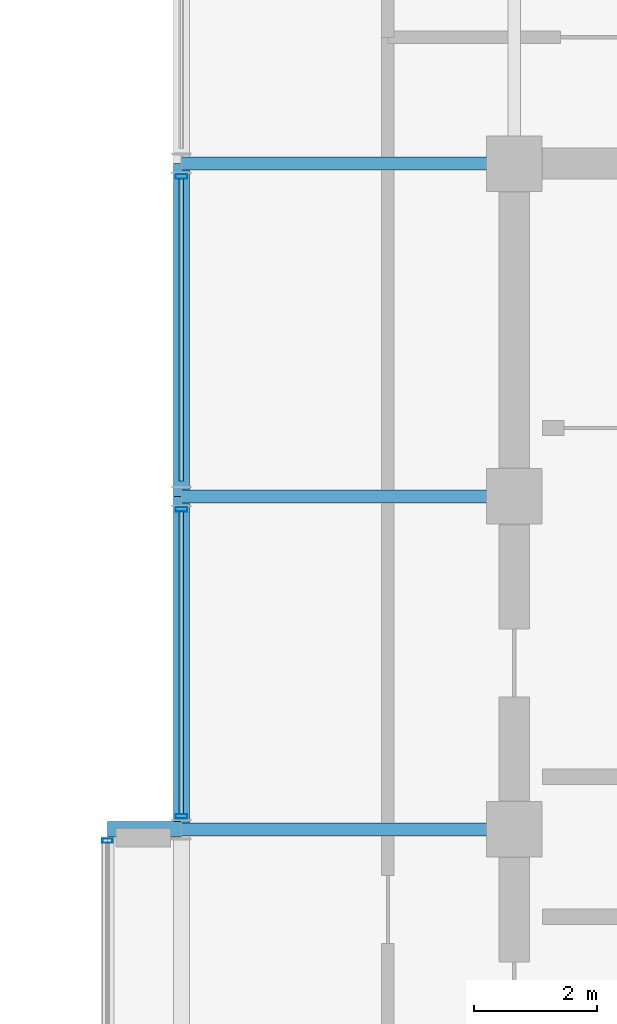
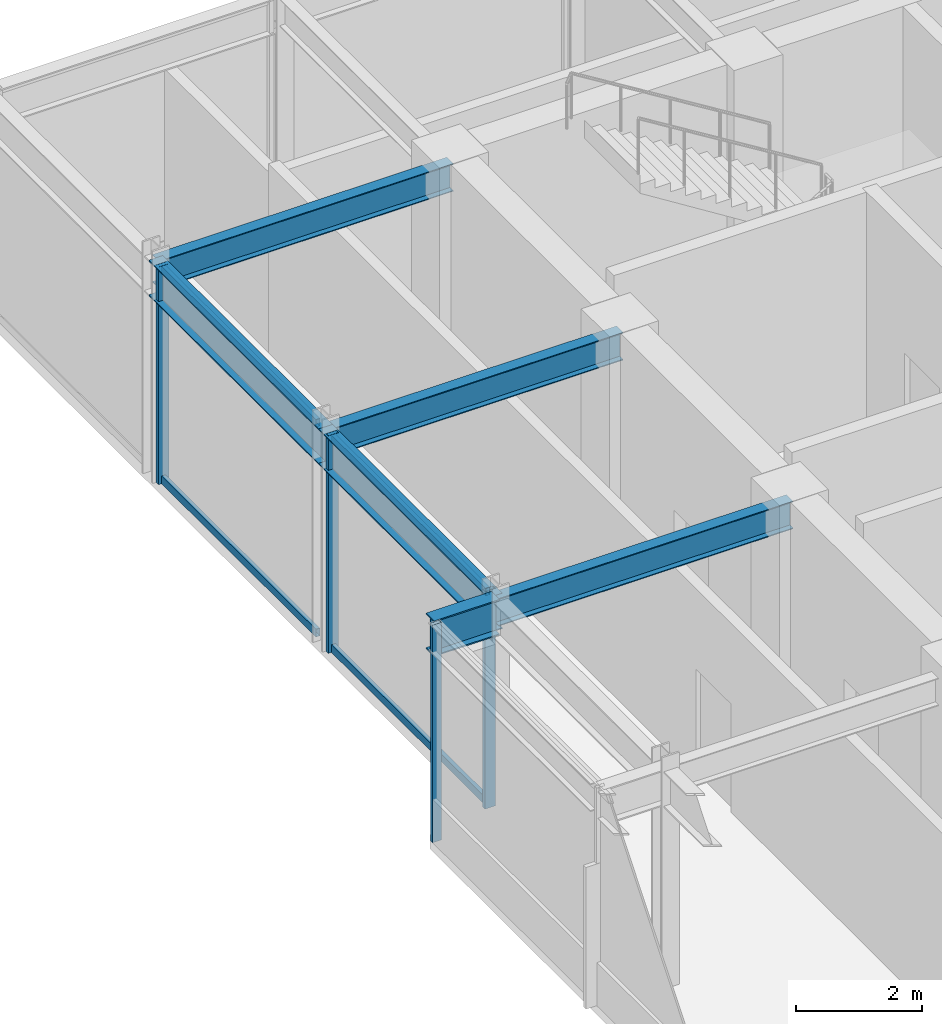
# One storey, part 7 of 18: 8 members, 6 beams, 2 elements without a shape of their own.
"""IFC4 building model written with IfcOpenShell, lengths in metres."""

from ifc_helpers import new_model, si_unit, direction, frame, origin, origin_2d, place, context, subcontext, project, spatial, hollow_rectangle, i_section, extrude, material, layer, layer_set, material_profile, profile_set, type_object, element, aggregate, save


model = new_model("IFC4")

# Units and contexts
model_context = context("Model", 3, precision=1e-05, world=origin(), true_north=direction((0.0, 1.0)))
body_context = subcontext(model_context, "Body", "Model", "MODEL_VIEW")
ifc_project = project(units=[si_unit("LENGTHUNIT", "METRE"), si_unit("AREAUNIT", "SQUARE_METRE"), si_unit("VOLUMEUNIT", "CUBIC_METRE"), si_unit("PLANEANGLEUNIT", "RADIAN"), si_unit("MASSUNIT", "GRAM", prefix="KILO")], contexts=[model_context])

# Site, building, storey
site_placement = place(None, origin())
site = spatial("IfcSite", under=ifc_project, at=site_placement, CompositionType="ELEMENT")
building_placement = place(site_placement, origin())
building = spatial("IfcBuilding", under=site, at=building_placement, Name="Surkhivell Harbour Commons", CompositionType="ELEMENT")
storey_placement = place(building_placement, frame((0.0, 0.0, 355.5)))
storey = spatial("IfcBuildingStorey", under=building, at=storey_placement, Name="L92", CompositionType="ELEMENT", Elevation=355.5)

# Beams
ifc_material_1 = material(Name="Steel S460", Category="steel")
ifc_material_profile_1 = material_profile(ifc_material_1, i_section(OverallWidth=0.256103515625, OverallDepth=0.693115234375, WebThickness=0.014404296875, FlangeThickness=0.023681640625, at=origin_2d()), Name="UB686x254x170")
ifc_profile_set_1 = profile_set([ifc_material_profile_1], Name="Steel S460")
beam_type_1 = type_object("IfcBeamType", Name="BM-CNT-686", PredefinedType="BEAM", material=ifc_profile_set_1)
beam_1_placement = place(storey_placement, frame((-16.199951171875, 0.0, 3.87353515625), z_axis=(-1.0, 0.0, 0.0), x_axis=(0.0, -1.0, 0.0)))
element("IfcBeam", 1, at=beam_1_placement, inside=storey, type_object=beam_type_1, Name="L92 Box Cantilever Outrigger (-16.2,0.0)", PredefinedType="BEAM", context=body_context, shape_type="SweptSolid", body=[
    extrude(i_section(OverallWidth=0.256103515625, OverallDepth=0.693115234375, WebThickness=0.014404296875, FlangeThickness=0.023681640625, at=origin_2d()), origin(), (0.0, 0.0, 1.0), 1.199951171875),
])
ifc_material_2 = material(Name="Steel S355", Category="steel")
ifc_material_profile_2 = material_profile(ifc_material_2, i_section(OverallWidth=0.2099609375, OverallDepth=0.537109375, WebThickness=0.0107421875, FlangeThickness=0.017333984375, at=origin_2d()), Name="UB533x210x101")
ifc_profile_set_2 = profile_set([ifc_material_profile_2], Name="Steel S355")
beam_type_2 = type_object("IfcBeamType", Name="BM-GRD-533B", PredefinedType="BEAM", material=ifc_profile_set_2)
for number, where, z_axis, x_axis, name in (
    (2, (-16.199951171875, 0.0, 3.951416015625), (1.0, 0.0, 0.0), (0.0, 1.0, 0.0), "L92 Floor Girder (-16.2,0.0)"),
    (3, (-16.199951171875, 5.39990234375, 3.951416015625), (1.0, 0.0, 0.0), (0.0, 1.0, 0.0), "L92 Floor Girder (-16.2,5.4)"),
    (4, (-16.199951171875, 10.800048828125, 3.951416015625), (1.0, 0.0, 0.0), (0.0, 1.0, 0.0), "L92 Floor Girder (-16.2,10.8)"),
):
    element("IfcBeam", number, at=place(storey_placement, frame(where, z_axis=z_axis, x_axis=x_axis)), inside=storey, type_object=beam_type_2, Name=name, PredefinedType="BEAM", context=body_context, shape_type="SweptSolid", body=[
        extrude(i_section(OverallWidth=0.2099609375, OverallDepth=0.537109375, WebThickness=0.0107421875, FlangeThickness=0.017333984375, at=origin_2d()), origin(), (0.0, 0.0, 1.0), 5.39990234375),
    ])
ifc_material_profile_3 = material_profile(ifc_material_2, i_section(OverallWidth=0.256103515625, OverallDepth=0.693115234375, WebThickness=0.014404296875, FlangeThickness=0.023681640625, at=origin_2d()), Name="UB686x254x170")
ifc_profile_set_3 = profile_set([ifc_material_profile_3], Name="Steel S355")
beam_type_3 = type_object("IfcBeamType", Name="BM-SPN-686", PredefinedType="SPANDREL", material=ifc_profile_set_3)
beam_2_placement = place(storey_placement, frame((-16.199951171875, 0.0, 3.87353515625), z_axis=(0.0, 1.0, 0.0), x_axis=(-1.0, 0.0, 0.0)))
element("IfcBeam", 5, at=beam_2_placement, inside=storey, type_object=beam_type_3, Name="L92 Tube Spandrel (-16.2,0.0)", PredefinedType="SPANDREL", context=body_context, shape_type="SweptSolid", body=[
    extrude(i_section(OverallWidth=0.256103515625, OverallDepth=0.693115234375, WebThickness=0.014404296875, FlangeThickness=0.023681640625, at=origin_2d()), origin(), (0.0, 0.0, 1.0), 5.39990234375),
])
beam_3_placement = place(storey_placement, frame((-16.199951171875, 5.39990234375, 3.87353515625), z_axis=(0.0, 1.0, 0.0), x_axis=(-1.0, 0.0, 0.0)))
element("IfcBeam", 6, at=beam_3_placement, inside=storey, type_object=beam_type_3, Name="L92 Tube Spandrel (-16.2,5.4)", PredefinedType="SPANDREL", context=body_context, shape_type="SweptSolid", body=[
    extrude(i_section(OverallWidth=0.256103515625, OverallDepth=0.693115234375, WebThickness=0.014404296875, FlangeThickness=0.023681640625, at=origin_2d()), origin(), (0.0, 0.0, 1.0), 5.400146484375),
])

# Curtain wall, member
ifc_material_3 = material(Name="Anodised pale-metal aluminium and insulated glazing", Category="aluminium")
ifc_layer_1 = layer(ifc_material_3, 0.1650390625)
ifc_layer_set_1 = layer_set([ifc_layer_1], Name="Anodised pale-metal aluminium and insulated glazing")
curtain_wall_type_1 = type_object("IfcCurtainWallType", Name="CW-SYS-BOX", PredefinedType="NOTDEFINED", material=ifc_layer_set_1)
curtain_wall_1_placement = place(storey_placement, origin())
curtain_wall_1 = element("IfcCurtainWall", 7, at=curtain_wall_1_placement, inside=storey, type_object=curtain_wall_type_1, Name="L92 Curtain Wall CW-L92-BOX03", PredefinedType="NOTDEFINED")
ifc_material_4 = material(Name="Champagne anodised aluminium alloy 6063-T6", Category="aluminium")
ifc_material_profile_4 = material_profile(ifc_material_4, hollow_rectangle(XDim=0.070068359375, YDim=0.1650390625, WallThickness=0.00341796875, at=origin_2d()), Name="ALU-MULL-70x165")
ifc_profile_set_4 = profile_set([ifc_material_profile_4], Name="Champagne anodised aluminium alloy 6063-T6")
member_type_1 = type_object("IfcMemberType", Name="CWM-165", PredefinedType="MULLION", material=ifc_profile_set_4)
member_1_placement = place(storey_placement, frame((-17.39990234375, -0.18505859375, 0.0), z_axis=(0.0, 0.0, 1.0), x_axis=(0.0, 1.0, 0.0)))
member_1 = element("IfcMember", 8, at=member_1_placement, type_object=member_type_1, Name="CW-BOX mullion 3", PredefinedType="MULLION", context=body_context, shape_type="SweptSolid", body=[
    extrude(hollow_rectangle(XDim=0.070068359375, YDim=0.1650390625, WallThickness=0.00341796875, at=origin_2d()), origin(), (0.0, 0.0, 1.0), 4.219970703125),
])
aggregate(curtain_wall_1, [member_1])

# Curtain wall, members
ifc_layer_2 = layer(ifc_material_3, 0.22998046875)
ifc_layer_set_2 = layer_set([ifc_layer_2], Name="Anodised pale-metal aluminium and insulated glazing")
curtain_wall_type_2 = type_object("IfcCurtainWallType", Name="CW-SYS-CRN", PredefinedType="NOTDEFINED", material=ifc_layer_set_2)
curtain_wall_2_placement = place(storey_placement, origin())
curtain_wall_2 = element("IfcCurtainWall", 9, at=curtain_wall_2_placement, inside=storey, type_object=curtain_wall_type_2, Name="L92 Curtain Wall CW-L92-C03S2", PredefinedType="NOTDEFINED")
ifc_material_5 = material(Name="Anodised pale-metal aluminium alloy 6063-T6", Category="aluminium")
ifc_material_profile_5 = material_profile(ifc_material_5, hollow_rectangle(XDim=0.074951171875, YDim=0.18994140625, WallThickness=0.00390625, at=origin_2d()), Name="ALU-MULL-75x190")
ifc_profile_set_5 = profile_set([ifc_material_profile_5], Name="Anodised pale-metal aluminium alloy 6063-T6")
member_type_2 = type_object("IfcMemberType", Name="CWM-190", PredefinedType="MULLION", material=ifc_profile_set_5)
member_2_placement = place(storey_placement, frame((-16.199951171875, 10.590576171875, 0.0), z_axis=(0.0, 0.0, 1.0), x_axis=(0.0, -1.0, 0.0)))
member_2 = element("IfcMember", 10, at=member_2_placement, type_object=member_type_2, Name="CW-CRN mullion 2", PredefinedType="MULLION", context=body_context, shape_type="SweptSolid", body=[
    extrude(hollow_rectangle(XDim=0.074951171875, YDim=0.18994140625, WallThickness=0.00390625, at=origin_2d()), origin(), (0.0, 0.0, 1.0), 4.219970703125),
])
member_3_placement = place(storey_placement, frame((-16.199951171875, 5.1904296875, 0.0), z_axis=(0.0, 0.0, 1.0), x_axis=(0.0, -1.0, 0.0)))
member_3 = element("IfcMember", 11, at=member_3_placement, type_object=member_type_2, Name="CW-CRN mullion 3", PredefinedType="MULLION", context=body_context, shape_type="SweptSolid", body=[
    extrude(hollow_rectangle(XDim=0.074951171875, YDim=0.18994140625, WallThickness=0.00390625, at=origin_2d()), origin(), (0.0, 0.0, 1.0), 4.219970703125),
])
member_4_placement = place(storey_placement, frame((-16.199951171875, 0.20947265625, 0.0), z_axis=(0.0, 0.0, 1.0), x_axis=(0.0, -1.0, 0.0)))
member_4 = element("IfcMember", 12, at=member_4_placement, type_object=member_type_2, Name="CW-CRN mullion 4", PredefinedType="MULLION", context=body_context, shape_type="SweptSolid", body=[
    extrude(hollow_rectangle(XDim=0.074951171875, YDim=0.18994140625, WallThickness=0.00390625, at=origin_2d()), origin(), (0.0, 0.0, 1.0), 4.219970703125),
])
ifc_material_profile_6 = material_profile(ifc_material_5, hollow_rectangle(XDim=0.074951171875, YDim=0.14990234375, WallThickness=0.00341796875, at=origin_2d()), Name="ALU-TRAN-75x150")
ifc_profile_set_6 = profile_set([ifc_material_profile_6], Name="Anodised pale-metal aluminium alloy 6063-T6")
member_type_3 = type_object("IfcMemberType", Name="CWT-150", PredefinedType="USERDEFINED", material=ifc_profile_set_6)
member_5_placement = place(storey_placement, frame((-16.199951171875, 10.552978515625, 0.074951171875), z_axis=(0.0, -1.0, 0.0), x_axis=(1.0, 0.0, 0.0)))
member_5 = element("IfcMember", 13, at=member_5_placement, type_object=member_type_3, Name="CW-CRN transom 2.1", ObjectType="TRANSOM", PredefinedType="USERDEFINED", context=body_context, shape_type="SweptSolid", body=[
    extrude(hollow_rectangle(XDim=0.074951171875, YDim=0.14990234375, WallThickness=0.00341796875, at=origin_2d()), origin(), (0.0, 0.0, 1.0), 4.906005859375),
])
member_6_placement = place(storey_placement, frame((-16.199951171875, 10.552978515625, 4.14501953125), z_axis=(0.0, -1.0, 0.0), x_axis=(1.0, 0.0, 0.0)))
member_6 = element("IfcMember", 14, at=member_6_placement, type_object=member_type_3, Name="CW-CRN transom 2.2", ObjectType="TRANSOM", PredefinedType="USERDEFINED", context=body_context, shape_type="SweptSolid", body=[
    extrude(hollow_rectangle(XDim=0.074951171875, YDim=0.14990234375, WallThickness=0.00341796875, at=origin_2d()), origin(), (0.0, 0.0, 1.0), 4.906005859375),
])
member_7_placement = place(storey_placement, frame((-16.199951171875, 5.153076171875, 0.074951171875), z_axis=(0.0, -1.0, 0.0), x_axis=(1.0, 0.0, 0.0)))
member_7 = element("IfcMember", 15, at=member_7_placement, type_object=member_type_3, Name="CW-CRN transom 3.1", ObjectType="TRANSOM", PredefinedType="USERDEFINED", context=body_context, shape_type="SweptSolid", body=[
    extrude(hollow_rectangle(XDim=0.074951171875, YDim=0.14990234375, WallThickness=0.00341796875, at=origin_2d()), origin(), (0.0, 0.0, 1.0), 4.906005859375),
])
member_8_placement = place(storey_placement, frame((-16.199951171875, 5.153076171875, 4.14501953125), z_axis=(0.0, -1.0, 0.0), x_axis=(1.0, 0.0, 0.0)))
member_8 = element("IfcMember", 16, at=member_8_placement, type_object=member_type_3, Name="CW-CRN transom 3.2", ObjectType="TRANSOM", PredefinedType="USERDEFINED", context=body_context, shape_type="SweptSolid", body=[
    extrude(hollow_rectangle(XDim=0.074951171875, YDim=0.14990234375, WallThickness=0.00341796875, at=origin_2d()), origin(), (0.0, 0.0, 1.0), 4.906005859375),
])
aggregate(curtain_wall_2, [member_2, member_5, member_6, member_3, member_4, member_7, member_8])

save(model, "model.ifc")
